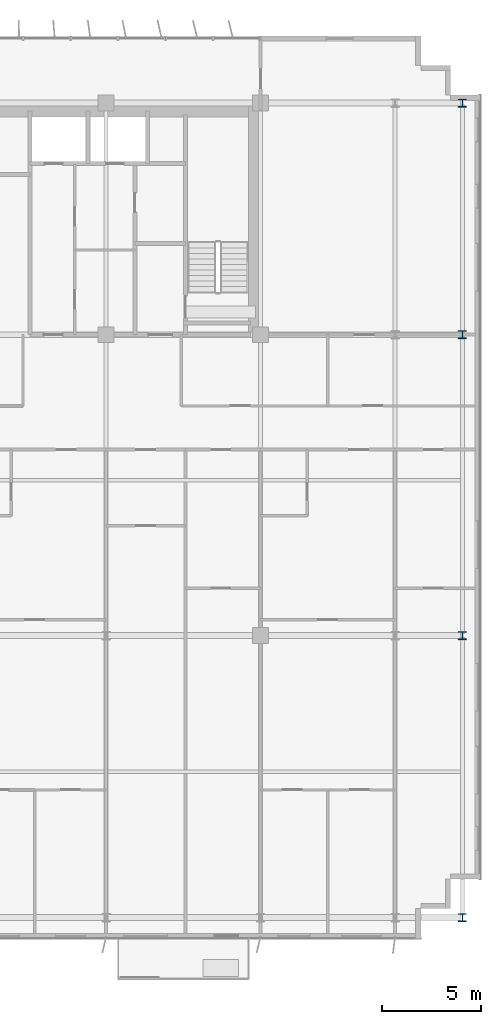
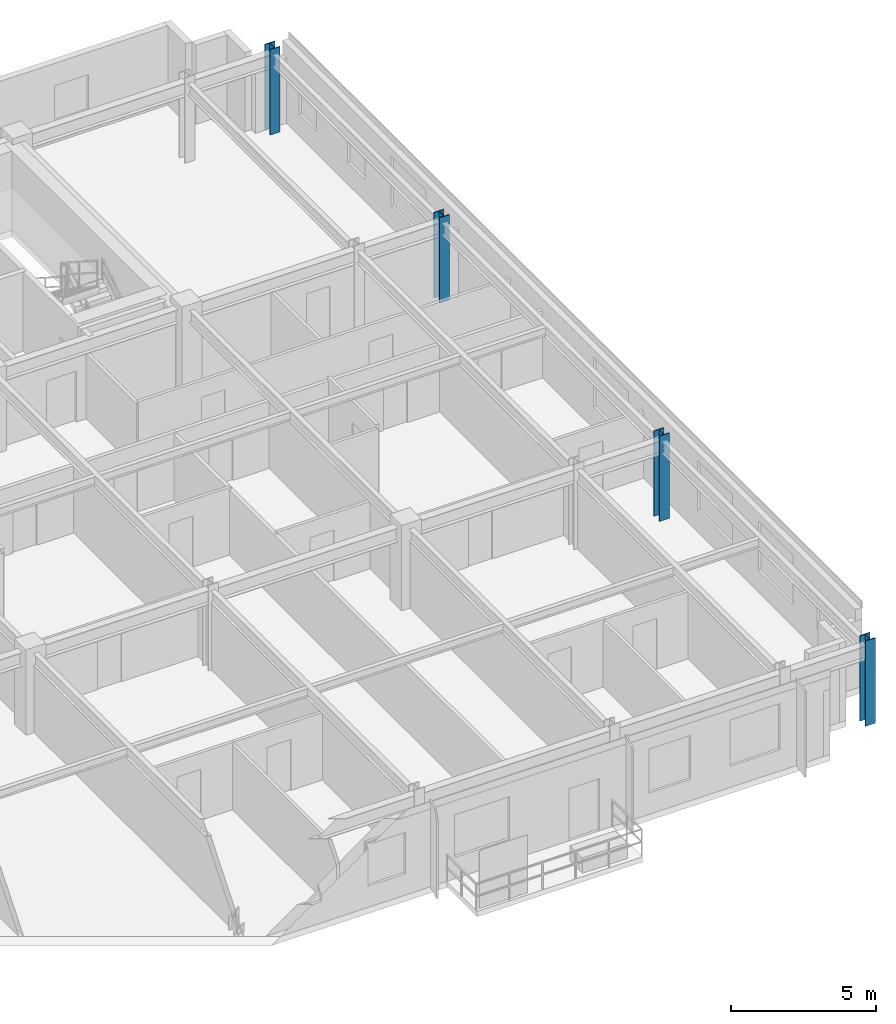
# One storey, part 3 of 21: 4 columns.
"""IFC4 building model written with IfcOpenShell, lengths in metres."""

import ifcopenshell
import ifcopenshell.guid

model = None  # the IFC model being written
_history = None  # IfcOwnerHistory: only IFC2X3 demands one
_inside = {}  # id of a spatial element -> (the spatial element, [elements in it])
_under = {}  # id of a project, library or spatial element -> (it, [spatial elements below it])
_declared = {}  # id of a project -> (the project, [libraries it declares])
_typed = {}  # id of a type object -> (the type object, [elements of that type])
_made_of = {}  # id of a material, layer set ... -> (it, [elements and type objects made of it])


def new_model(schema):
    """Start an empty IFC model of exactly this schema.

    Asked for "IFC4X3", IfcOpenShell would pick the latest addendum, in which some entities
    have other attributes; the version numbers below select the first issue.
    IFC2X3 requires an IfcOwnerHistory on every rooted entity: one is made here for all.
    """
    global model, _history
    if schema == "IFC4X3":
        model = ifcopenshell.file(schema_version=(4, 3, 0, 0))
    else:
        model = ifcopenshell.file(schema=schema)
    _inside.clear()
    _under.clear()
    _declared.clear()
    _typed.clear()
    _made_of.clear()
    _history = None
    if model.schema == "IFC2X3":
        org = make("IfcOrganization", Name="unknown")
        user = make(
            "IfcPersonAndOrganization",
            ThePerson=make("IfcPerson", FamilyName="unknown"),
            TheOrganization=org,
        )
        app = make(
            "IfcApplication",
            ApplicationDeveloper=org,
            Version="unknown",
            ApplicationFullName="unknown",
            ApplicationIdentifier="unknown",
        )
        _history = make(
            "IfcOwnerHistory",
            OwningUser=user,
            OwningApplication=app,
            ChangeAction="ADDED",
            CreationDate=0,
        )
    return model


def make(cls, **values):
    """One entity of the class cls with the attributes given. An attribute that is None is left unset."""
    return model.create_entity(
        cls, **{name: value for name, value in values.items() if value is not None}
    )


def rooted(cls, **values):
    """An entity with a GlobalId (a new one), such as an element, a storey or a relation."""
    return make(cls, GlobalId=ifcopenshell.guid.new(), OwnerHistory=_history, **values)


def si_unit(unit_type, name, prefix=None):
    """IfcSIUnit, for example si_unit("LENGTHUNIT", "METRE", prefix="MILLI")."""
    return make("IfcSIUnit", UnitType=unit_type, Prefix=prefix, Name=name)


def assignment(units):
    """IfcUnitAssignment: the units of a project."""
    return None if units is None else make("IfcUnitAssignment", Units=units)


def point(xyz):
    """IfcCartesianPoint."""
    return None if xyz is None else make("IfcCartesianPoint", Coordinates=xyz)


def direction(xyz):
    """IfcDirection."""
    return None if xyz is None else make("IfcDirection", DirectionRatios=xyz)


def frame(location, z_axis=None, x_axis=None):
    """IfcAxis2Placement3D, a coordinate frame: its origin and axes. An axis left out is left unset."""
    return make(
        "IfcAxis2Placement3D",
        Location=point(location),
        Axis=direction(z_axis),
        RefDirection=direction(x_axis),
    )


def frame_2d(location, x_axis=None):
    """IfcAxis2Placement2D, a coordinate frame in the plane: its origin and x axis."""
    return make(
        "IfcAxis2Placement2D", Location=point(location), RefDirection=direction(x_axis)
    )


def origin():
    """The frame at (0, 0, 0) with its axes left unset."""
    return frame((0.0, 0.0, 0.0))


def origin_2d():
    """The frame at (0, 0) in the plane with its x axis left unset."""
    return frame_2d((0.0, 0.0))


def place(relative_to, where):
    """IfcLocalPlacement: puts the frame where relative to a parent placement (None: the world)."""
    return make(
        "IfcLocalPlacement", PlacementRelTo=relative_to, RelativePlacement=where
    )


def context(
    kind, dimensions, precision=None, world=None, true_north=None, identifier=None
):
    """IfcGeometricRepresentationContext, for example the 3D "Model" context."""
    return make(
        "IfcGeometricRepresentationContext",
        ContextIdentifier=identifier,
        ContextType=kind,
        CoordinateSpaceDimension=dimensions,
        Precision=precision,
        WorldCoordinateSystem=world,
        TrueNorth=true_north,
    )


def subcontext(parent, identifier, kind, view, scale=None):
    """IfcGeometricRepresentationSubContext, for example "Body" below "Model"."""
    return make(
        "IfcGeometricRepresentationSubContext",
        ContextIdentifier=identifier,
        ContextType=kind,
        ParentContext=parent,
        TargetScale=scale,
        TargetView=view,
    )


def project(units=None, contexts=None):
    """IfcProject with its units and contexts."""
    return rooted(
        "IfcProject",
        Name="project",
        RepresentationContexts=contexts,
        UnitsInContext=assignment(units),
    )


def spatial(cls, under=None, at=None, **own):
    """A site, building, storey or space (cls), placed at a placement, below another one or the project."""
    s = rooted(cls, ObjectPlacement=at, **own)
    if under is not None:
        _under.setdefault(under.id(), (under, []))[1].append(s)
    return s


def profile(cls, at=None, kind="AREA", **sizes):
    """A parametric profile (cls). Its sizes go by their IFC names, for example OverallWidth=200.0."""
    return make(cls, ProfileType=kind, Position=at, **sizes)


def i_section(**sizes):
    """IfcIShapeProfileDef."""
    return profile("IfcIShapeProfileDef", **sizes)


def extrude(swept, where, along, depth):
    """IfcExtrudedAreaSolid: the profile swept, set in the frame where, extruded along a direction by depth."""
    return make(
        "IfcExtrudedAreaSolid",
        SweptArea=swept,
        Position=where,
        ExtrudedDirection=direction(along),
        Depth=depth,
    )


def shape(context_of_items, identifier, shape_type, items):
    """IfcShapeRepresentation: the items that make up one representation, for example the "Body"."""
    return make(
        "IfcShapeRepresentation",
        ContextOfItems=context_of_items,
        RepresentationIdentifier=identifier,
        RepresentationType=shape_type,
        Items=items,
    )


def source(mapping_origin, context_of_items, identifier, shape_type, items):
    """IfcRepresentationMap: a shape defined once, which mapped items show again and again."""
    return make(
        "IfcRepresentationMap",
        MappingOrigin=mapping_origin,
        MappedRepresentation=shape(context_of_items, identifier, shape_type, items),
    )


def transform(
    local_origin,
    x_axis=None,
    y_axis=None,
    z_axis=None,
    scale=None,
    scale2=None,
    scale3=None,
    uniform=True,
):
    """IfcCartesianTransformationOperator3D, or its non-uniform kind. x_axis, y_axis, z_axis: its Axis1, 2, 3."""
    if uniform:
        return make(
            "IfcCartesianTransformationOperator3D",
            Axis1=direction(x_axis),
            Axis2=direction(y_axis),
            LocalOrigin=point(local_origin),
            Scale=scale,
            Axis3=direction(z_axis),
        )
    return make(
        "IfcCartesianTransformationOperator3DnonUniform",
        Axis1=direction(x_axis),
        Axis2=direction(y_axis),
        LocalOrigin=point(local_origin),
        Scale=scale,
        Axis3=direction(z_axis),
        Scale2=scale2,
        Scale3=scale3,
    )


def mapped(mapping_source, mapping_target):
    """IfcMappedItem: shows the shape of a source again, moved by a transform."""
    return make(
        "IfcMappedItem", MappingSource=mapping_source, MappingTarget=mapping_target
    )


def material(Name=None, Category=None):
    """IfcMaterial."""
    return make("IfcMaterial", Name=Name, Category=Category)


def material_profile(
    of_material, cross_section, Name=None, Category=None, Priority=None
):
    """IfcMaterialProfile: a cross section and its material."""
    return make(
        "IfcMaterialProfile",
        Name=Name,
        Material=of_material,
        Profile=cross_section,
        Priority=Priority,
        Category=Category,
    )


def profile_set(profiles, Name=None, composite=None):
    """IfcMaterialProfileSet."""
    return make(
        "IfcMaterialProfileSet",
        Name=Name,
        MaterialProfiles=profiles,
        CompositeProfile=composite,
    )


def made_of(thing, what):
    """Note that an element or type object is made of a material, layer set ...; save() writes the relation."""
    if what is not None:
        _made_of.setdefault(what.id(), (what, []))[1].append(thing)
    return thing


def type_object(cls, material=None, **own):
    """A type object (cls), such as IfcWallType, which elements share."""
    return made_of(rooted(cls, **own), material)


def element(
    cls,
    number,
    at=None,
    inside=None,
    cuts=None,
    type_object=None,
    material=None,
    context=None,
    identifier="Body",
    shape_type=None,
    held_by="IfcProductDefinitionShape",
    body=None,
    shapes=None,
    **own,
):
    """One element of the class cls, such as IfcWall. Its Tag is "e" and its number.

    at: its placement. inside: the storey or other place that contains it. cuts: it is an
    opening in that element (IfcRelVoidsElement). A single representation is given by context,
    identifier, shape_type and body (its items); several are given by shapes. held_by: the class
    of the entity that holds the representations. save() writes the other relations.
    """
    e = rooted(cls, Tag="e%d" % number, ObjectPlacement=at, **own)
    if body is not None:
        shapes = [shape(context, identifier, shape_type, body)]
    if shapes is not None:
        e.Representation = make(held_by, Representations=shapes)
    if inside is not None:
        _inside.setdefault(inside.id(), (inside, []))[1].append(e)
    if cuts is not None:
        rooted(
            "IfcRelVoidsElement", RelatingBuildingElement=cuts, RelatedOpeningElement=e
        )
    if type_object is not None:
        _typed.setdefault(type_object.id(), (type_object, []))[1].append(e)
    return made_of(e, material)


def aggregate(whole, parts):
    """IfcRelAggregates: a whole, such as a stair, and the parts it consists of."""
    return rooted("IfcRelAggregates", RelatingObject=whole, RelatedObjects=parts)


def save(model, path):
    """Write the relations noted so far, then the file.

    IfcRelAggregates (storeys below a building ...), IfcRelContainedInSpatialStructure (elements
    in a storey), IfcRelDefinesByType, IfcRelAssociatesMaterial and IfcRelDeclares: one each for
    every whole, place, type object, material and project.
    """
    for whole, parts in _under.values():
        aggregate(whole, parts)
    for where, things in _inside.values():
        rooted(
            "IfcRelContainedInSpatialStructure",
            RelatedElements=things,
            RelatingStructure=where,
        )
    for kind, things in _typed.values():
        rooted("IfcRelDefinesByType", RelatedObjects=things, RelatingType=kind)
    for what, things in _made_of.values():
        rooted("IfcRelAssociatesMaterial", RelatedObjects=things, RelatingMaterial=what)
    for by, libraries in _declared.values():
        rooted("IfcRelDeclares", RelatingContext=by, RelatedDefinitions=libraries)
    model.write(path)


model = new_model("IFC4")

# Units and contexts
model_context = context("Model", 3, precision=1e-05, world=origin(), true_north=direction((0.0, 1.0)))
body_context = subcontext(model_context, "Body", "Model", "MODEL_VIEW")
ifc_project = project(units=[si_unit("LENGTHUNIT", "METRE"), si_unit("AREAUNIT", "SQUARE_METRE"), si_unit("VOLUMEUNIT", "CUBIC_METRE"), si_unit("PLANEANGLEUNIT", "RADIAN"), si_unit("MASSUNIT", "GRAM", prefix="KILO")], contexts=[model_context])

# Site, building, storey
site_placement = place(None, origin())
site = spatial("IfcSite", under=ifc_project, at=site_placement, CompositionType="ELEMENT")
building_placement = place(site_placement, origin())
building = spatial("IfcBuilding", under=site, at=building_placement, Name="Trelvane Seafront Commons", CompositionType="ELEMENT")
storey_placement = place(building_placement, frame((0.0, 0.0, 106.89990234375)))
storey = spatial("IfcBuildingStorey", under=building, at=storey_placement, Name="L27", CompositionType="ELEMENT", Elevation=106.89990234375)

# Columns
ifc_material = material(Name="Steel SM355 (S355)", Category="steel")
ifc_material_profile = material_profile(ifc_material, i_section(OverallWidth=0.39990234375, OverallDepth=0.39990234375, WebThickness=0.02197265625, FlangeThickness=0.034912109375, at=origin_2d()), Name="HD-400x400x22x35")
ifc_profile_set = profile_set([ifc_material_profile], Name="Steel SM355 (S355)")
column_type = type_object("IfcColumnType", Name="STR-COL-HD400", PredefinedType="COLUMN", material=ifc_profile_set)
shared_shape = source(origin(), body_context, "Body", "SweptSolid", [
    extrude(i_section(OverallWidth=0.39990234375, OverallDepth=0.39990234375, WebThickness=0.02197265625, FlangeThickness=0.034912109375, at=origin_2d()), origin(), (0.0, 0.0, 1.0), 3.60009765625),
])
for number, where, z_axis, x_axis, name in (
    (1, (69.0, 3.949951171875, 0.0), (0.0, 0.0, 1.0), (1.0, 0.0, 0.0), "L27 Column TC-S69.0"),
    (2, (69.0, 18.199951171875, 0.0), (0.0, 0.0, 1.0), (1.0, 0.0, 0.0), "L27 Column TC-M69.0"),
    (3, (69.0, 33.39990234375, 0.0), (0.0, 0.0, 1.0), (1.0, 0.0, 0.0), "L27 Column TC-CS69.0"),
    (4, (69.0, 45.10009765625, 0.0), (0.0, 0.0, 1.0), (1.0, 0.0, 0.0), "L27 Column TC-CN69.0"),
):
    element("IfcColumn", number, at=place(storey_placement, frame(where, z_axis=z_axis, x_axis=x_axis)), inside=storey, type_object=column_type, Name=name, PredefinedType="COLUMN", context=body_context, shape_type="MappedRepresentation", body=[
        mapped(shared_shape, transform((0.0, 0.0, 0.0), x_axis=(1.0, 0.0, 0.0), y_axis=(0.0, 1.0, 0.0), z_axis=(0.0, 0.0, 1.0), scale=1.0)),
    ])

save(model, "model.ifc")
